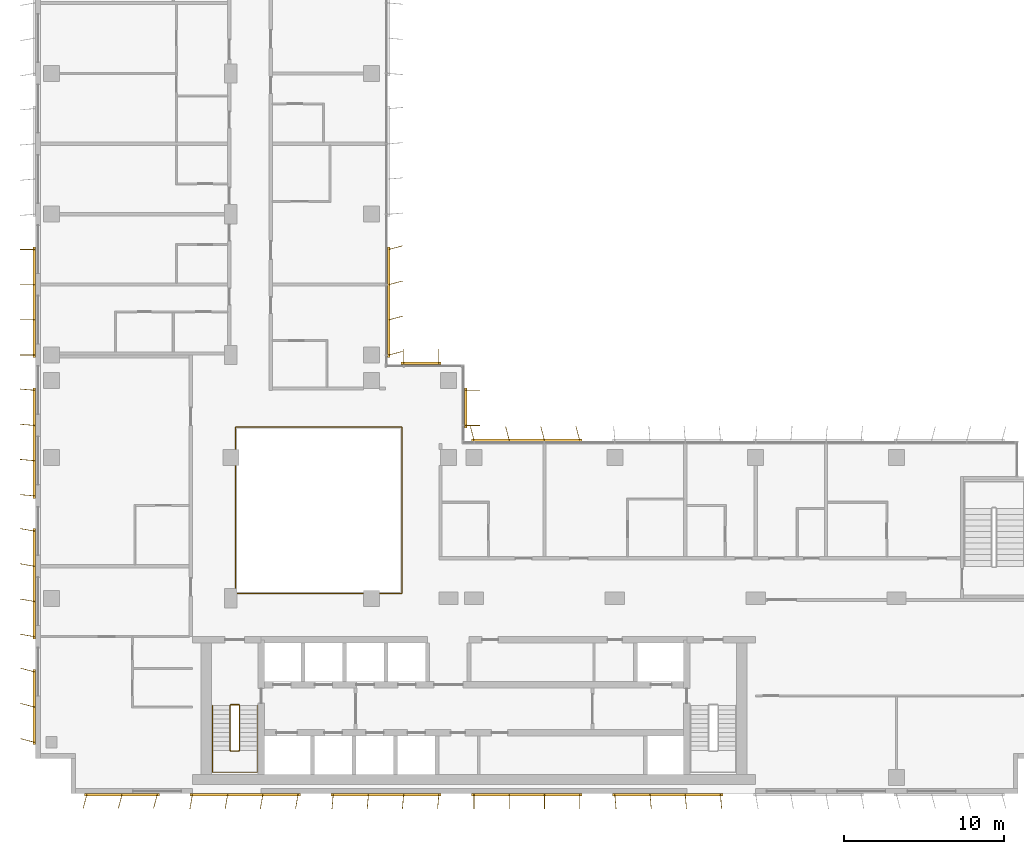
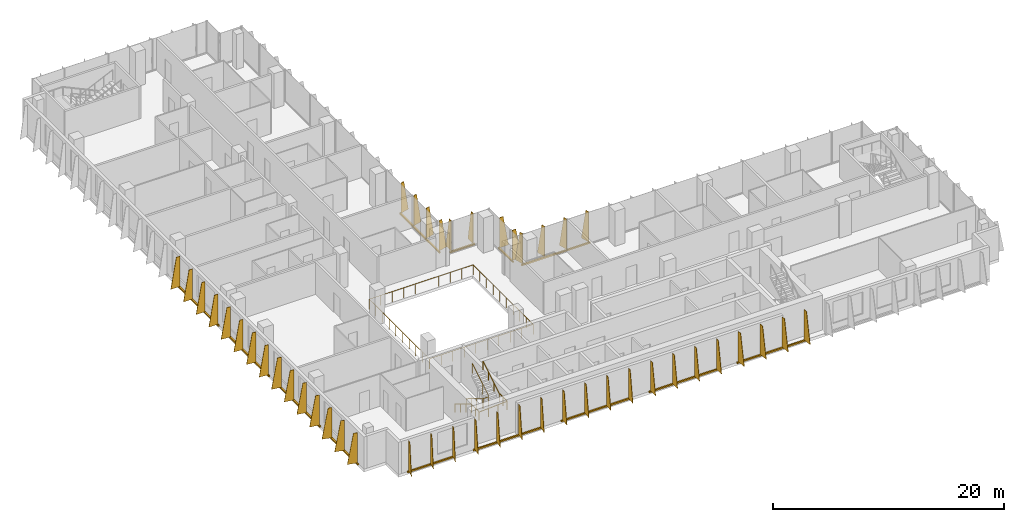
# One storey, part 19 of 21: 13 shading devices, 3 railings.
"""IFC4 building model written with IfcOpenShell, lengths in metres."""

from ifc_helpers import new_model, si_unit, direction, frame, origin, origin_2d, place, context, subcontext, project, spatial, polyline, rectangle, circle, outline, extrude, source, transform, mapped, material, layer, layer_set, type_object, element, save


model = new_model("IFC4")

# Units and contexts
model_context = context("Model", 3, precision=1e-05, world=origin(), true_north=direction((0.0, 1.0)))
body_context = subcontext(model_context, "Body", "Model", "MODEL_VIEW")
ifc_project = project(units=[si_unit("LENGTHUNIT", "METRE"), si_unit("AREAUNIT", "SQUARE_METRE"), si_unit("VOLUMEUNIT", "CUBIC_METRE"), si_unit("PLANEANGLEUNIT", "RADIAN"), si_unit("MASSUNIT", "GRAM", prefix="KILO")], contexts=[model_context])

# Site, building, storey
site_placement = place(None, origin())
site = spatial("IfcSite", under=ifc_project, at=site_placement, CompositionType="ELEMENT")
building_placement = place(site_placement, origin())
building = spatial("IfcBuilding", under=site, at=building_placement, Name="Kemantara Hotel Tower", CompositionType="ELEMENT")
storey_placement = place(building_placement, frame((0.0, 0.0, 179.0)))
storey = spatial("IfcBuildingStorey", under=building, at=storey_placement, Name="L44", CompositionType="ELEMENT", Elevation=179.0)

# Railings
ifc_material_1 = material(Name="Stainless steel and laminated glass balustrade", Category="steel")
railing_type_1 = type_object("IfcRailingType", Name="ATRIUM GUARD 1100", PredefinedType="GUARDRAIL", material=ifc_material_1)
railing_1_placement = place(storey_placement, frame((12.56005859375, 12.5, 0.0)))
element("IfcRailing", 1, at=railing_1_placement, inside=storey, type_object=railing_type_1, Name="ATRIUM GUARD L44", PredefinedType="GUARDRAIL", context=body_context, shape_type="SweptSolid", body=[
    extrude(circle(Radius=0.02490234375, at=origin_2d()), frame((0.0, 0.0, 1.0751953125), z_axis=(1.0, 0.0, 0.0), x_axis=(0.0, 1.0, 0.0)), (0.0, 0.0, 1.0), 10.33984375),
    extrude(circle(Radius=0.02490234375, at=origin_2d()), frame((10.33984375, 0.0, 1.0751953125), z_axis=(0.0, 1.0, 0.0), x_axis=(-1.0, 0.0, 0.0)), (0.0, 0.0, 1.0), 10.39990234375),
    extrude(circle(Radius=0.02490234375, at=origin_2d()), frame((10.33984375, 10.39990234375, 1.0751953125), z_axis=(-1.0, 0.0, 0.0), x_axis=(0.0, -1.0, 0.0)), (0.0, 0.0, 1.0), 10.39990234375),
    extrude(circle(Radius=0.02490234375, at=origin_2d()), frame((-0.06005859375, 10.39990234375, 1.0751953125), z_axis=(0.0, -1.0, 0.0), x_axis=(1.0, 0.0, 0.0)), (0.0, 0.0, 1.0), 10.39990234375),
    extrude(circle(Radius=0.02001953125, at=origin_2d()), origin(), (0.0, 0.0, 1.0), 1.050048828125),
    extrude(circle(Radius=0.02001953125, at=origin_2d()), frame((1.14892578125, 0.0, 0.0)), (0.0, 0.0, 1.0), 1.050048828125),
    extrude(circle(Radius=0.02001953125, at=origin_2d()), frame((2.2978515625, 0.0, 0.0)), (0.0, 0.0, 1.0), 1.050048828125),
    extrude(circle(Radius=0.02001953125, at=origin_2d()), frame((3.446533203125, 0.0, 0.0)), (0.0, 0.0, 1.0), 1.050048828125),
    extrude(circle(Radius=0.02001953125, at=origin_2d()), frame((4.595458984375, 0.0, 0.0)), (0.0, 0.0, 1.0), 1.050048828125),
    extrude(circle(Radius=0.02001953125, at=origin_2d()), frame((5.744384765625, 0.0, 0.0)), (0.0, 0.0, 1.0), 1.050048828125),
    extrude(circle(Radius=0.02001953125, at=origin_2d()), frame((6.893310546875, 0.0, 0.0)), (0.0, 0.0, 1.0), 1.050048828125),
    extrude(circle(Radius=0.02001953125, at=origin_2d()), frame((8.0419921875, 0.0, 0.0)), (0.0, 0.0, 1.0), 1.050048828125),
    extrude(circle(Radius=0.02001953125, at=origin_2d()), frame((9.19091796875, 0.0, 0.0)), (0.0, 0.0, 1.0), 1.050048828125),
    extrude(circle(Radius=0.02001953125, at=origin_2d()), frame((10.33984375, 0.0, 0.0)), (0.0, 0.0, 1.0), 1.050048828125),
    extrude(circle(Radius=0.02001953125, at=origin_2d()), frame((10.33984375, 1.155517578125, 0.0)), (0.0, 0.0, 1.0), 1.050048828125),
    extrude(circle(Radius=0.02001953125, at=origin_2d()), frame((10.33984375, 2.31103515625, 0.0)), (0.0, 0.0, 1.0), 1.050048828125),
    extrude(circle(Radius=0.02001953125, at=origin_2d()), frame((10.33984375, 3.466552734375, 0.0)), (0.0, 0.0, 1.0), 1.050048828125),
    extrude(circle(Radius=0.02001953125, at=origin_2d()), frame((10.33984375, 4.6220703125, 0.0)), (0.0, 0.0, 1.0), 1.050048828125),
    extrude(circle(Radius=0.02001953125, at=origin_2d()), frame((10.33984375, 5.77783203125, 0.0)), (0.0, 0.0, 1.0), 1.050048828125),
    extrude(circle(Radius=0.02001953125, at=origin_2d()), frame((10.33984375, 6.933349609375, 0.0)), (0.0, 0.0, 1.0), 1.050048828125),
    extrude(circle(Radius=0.02001953125, at=origin_2d()), frame((10.33984375, 8.0888671875, 0.0)), (0.0, 0.0, 1.0), 1.050048828125),
    extrude(circle(Radius=0.02001953125, at=origin_2d()), frame((10.33984375, 9.244384765625, 0.0)), (0.0, 0.0, 1.0), 1.050048828125),
    extrude(circle(Radius=0.02001953125, at=origin_2d()), frame((10.33984375, 10.39990234375, 0.0)), (0.0, 0.0, 1.0), 1.050048828125),
    extrude(circle(Radius=0.02001953125, at=origin_2d()), frame((9.184326171875, 10.39990234375, 0.0)), (0.0, 0.0, 1.0), 1.050048828125),
    extrude(circle(Radius=0.02001953125, at=origin_2d()), frame((8.02880859375, 10.39990234375, 0.0)), (0.0, 0.0, 1.0), 1.050048828125),
    extrude(circle(Radius=0.02001953125, at=origin_2d()), frame((6.873291015625, 10.39990234375, 0.0)), (0.0, 0.0, 1.0), 1.050048828125),
    extrude(circle(Radius=0.02001953125, at=origin_2d()), frame((5.7177734375, 10.39990234375, 0.0)), (0.0, 0.0, 1.0), 1.050048828125),
    extrude(circle(Radius=0.02001953125, at=origin_2d()), frame((4.56201171875, 10.39990234375, 0.0)), (0.0, 0.0, 1.0), 1.050048828125),
    extrude(circle(Radius=0.02001953125, at=origin_2d()), frame((3.406494140625, 10.39990234375, 0.0)), (0.0, 0.0, 1.0), 1.050048828125),
    extrude(circle(Radius=0.02001953125, at=origin_2d()), frame((2.2509765625, 10.39990234375, 0.0)), (0.0, 0.0, 1.0), 1.050048828125),
    extrude(circle(Radius=0.02001953125, at=origin_2d()), frame((1.095458984375, 10.39990234375, 0.0)), (0.0, 0.0, 1.0), 1.050048828125),
    extrude(circle(Radius=0.02001953125, at=origin_2d()), frame((-0.06005859375, 10.39990234375, 0.0)), (0.0, 0.0, 1.0), 1.050048828125),
    extrude(circle(Radius=0.02001953125, at=origin_2d()), frame((-0.06005859375, 9.244384765625, 0.0)), (0.0, 0.0, 1.0), 1.050048828125),
    extrude(circle(Radius=0.02001953125, at=origin_2d()), frame((-0.06005859375, 8.0888671875, 0.0)), (0.0, 0.0, 1.0), 1.050048828125),
    extrude(circle(Radius=0.02001953125, at=origin_2d()), frame((-0.06005859375, 6.933349609375, 0.0)), (0.0, 0.0, 1.0), 1.050048828125),
    extrude(circle(Radius=0.02001953125, at=origin_2d()), frame((-0.06005859375, 5.77783203125, 0.0)), (0.0, 0.0, 1.0), 1.050048828125),
    extrude(circle(Radius=0.02001953125, at=origin_2d()), frame((-0.06005859375, 4.6220703125, 0.0)), (0.0, 0.0, 1.0), 1.050048828125),
    extrude(circle(Radius=0.02001953125, at=origin_2d()), frame((-0.06005859375, 3.466552734375, 0.0)), (0.0, 0.0, 1.0), 1.050048828125),
    extrude(circle(Radius=0.02001953125, at=origin_2d()), frame((-0.06005859375, 2.31103515625, 0.0)), (0.0, 0.0, 1.0), 1.050048828125),
    extrude(circle(Radius=0.02001953125, at=origin_2d()), frame((-0.06005859375, 1.155517578125, 0.0)), (0.0, 0.0, 1.0), 1.050048828125),
    extrude(circle(Radius=0.02001953125, at=origin_2d()), frame((-0.06005859375, 0.0, 0.0)), (0.0, 0.0, 1.0), 1.050048828125),
])
ifc_material_2 = material(Name="Stainless steel balustrade", Category="steel")
railing_type_2 = type_object("IfcRailingType", Name="Stair guard 1100 mm", PredefinedType="GUARDRAIL", material=ifc_material_2)
railing_2_placement = place(storey_placement, frame((12.75, 5.5, 3.699951171875)))
element("IfcRailing", 2, at=railing_2_placement, inside=storey, type_object=railing_type_2, Name="L44 ST1 stair guard 1", PredefinedType="GUARDRAIL", context=body_context, shape_type="SweptSolid", body=[
    extrude(circle(Radius=0.02392578125, at=origin_2d()), frame((0.0, 0.0, 1.076171875), z_axis=(0.0, -0.857242210791, -0.514913383045), x_axis=(1.0, 0.0, 0.0)), (0.0, 0.0, 1.0), 3.266357421875),
    extrude(circle(Radius=0.02392578125, at=origin_2d()), frame((0.0, -2.800048828125, -0.60595703125), z_axis=(-0.274582412415, -0.274582412415, -0.921525364591), x_axis=(0.707106781187, -0.707106781187, 0.0)), (0.0, 0.0, 1.0), 0.182373046875),
    extrude(circle(Radius=0.02392578125, at=origin_2d()), frame((-0.050048828125, -2.85009765625, -0.77392578125), z_axis=(-1.0, 0.0, 0.0), x_axis=(0.0, -1.0, 0.0)), (0.0, 0.0, 1.0), 0.5),
    extrude(circle(Radius=0.02392578125, at=origin_2d()), frame((-0.550048828125, -2.85009765625, -0.77392578125), z_axis=(-0.707106781187, 0.707106781187, 0.0), x_axis=(-0.707106781187, -0.707106781187, 0.0)), (0.0, 0.0, 1.0), 0.07080078125),
    extrude(circle(Radius=0.02392578125, at=origin_2d()), frame((-0.60009765625, -2.800048828125, -0.77392578125), z_axis=(0.0, 0.857242210791, -0.514913383045), x_axis=(-1.0, 0.0, 0.0)), (0.0, 0.0, 1.0), 3.266357421875),
    extrude(circle(Radius=0.02392578125, at=origin_2d()), frame((-0.60009765625, 0.0, -2.45556640625), z_axis=(0.274243871929, 0.274243871929, -0.92172696468), x_axis=(-0.707106781187, 0.707106781187, 0.0)), (0.0, 0.0, 1.0), 0.1826171875),
    extrude(circle(Radius=0.02392578125, at=origin_2d()), frame((-0.550048828125, 0.050048828125, -2.6240234375), z_axis=(1.0, 0.0, 0.0), x_axis=(0.0, 1.0, 0.0)), (0.0, 0.0, 1.0), 0.5),
    extrude(circle(Radius=0.02099609375, at=origin_2d()), origin(), (0.0, 0.0, 1.0), 1.052001953125),
    extrude(circle(Radius=0.02099609375, at=origin_2d()), frame((0.0, -0.933349609375, -0.560546875)), (0.0, 0.0, 1.0), 1.052001953125),
    extrude(circle(Radius=0.02099609375, at=origin_2d()), frame((0.0, -1.86669921875, -1.121337890625)), (0.0, 0.0, 1.0), 1.052001953125),
    extrude(circle(Radius=0.02099609375, at=origin_2d()), frame((0.0, -2.800048828125, -1.681884765625)), (0.0, 0.0, 1.0), 1.052001953125),
    extrude(circle(Radius=0.02099609375, at=origin_2d()), frame((-0.050048828125, -2.85009765625, -1.849853515625)), (0.0, 0.0, 1.0), 1.052001953125),
    extrude(circle(Radius=0.02099609375, at=origin_2d()), frame((-0.550048828125, -2.85009765625, -1.849853515625)), (0.0, 0.0, 1.0), 1.052001953125),
    extrude(circle(Radius=0.02099609375, at=origin_2d()), frame((-0.60009765625, -2.800048828125, -1.849853515625)), (0.0, 0.0, 1.0), 1.052001953125),
    extrude(circle(Radius=0.02099609375, at=origin_2d()), frame((-0.60009765625, -1.86669921875, -2.410400390625)), (0.0, 0.0, 1.0), 1.052001953125),
    extrude(circle(Radius=0.02099609375, at=origin_2d()), frame((-0.60009765625, -0.933349609375, -2.97119140625)), (0.0, 0.0, 1.0), 1.052001953125),
    extrude(circle(Radius=0.02099609375, at=origin_2d()), frame((-0.60009765625, 0.0, -3.53173828125)), (0.0, 0.0, 1.0), 1.052001953125),
    extrude(circle(Radius=0.02099609375, at=origin_2d()), frame((-0.550048828125, 0.050048828125, -3.699951171875)), (0.0, 0.0, 1.0), 1.052001953125),
    extrude(circle(Radius=0.02099609375, at=origin_2d()), frame((-0.050048828125, 0.050048828125, -3.699951171875)), (0.0, 0.0, 1.0), 1.052001953125),
])
railing_type_3 = type_object("IfcRailingType", Name="Stair handrail 900 mm", PredefinedType="HANDRAIL", material=ifc_material_2)
railing_3_placement = place(storey_placement, frame((11.050048828125, 5.5, 0.168212890625)))
element("IfcRailing", 3, at=railing_3_placement, inside=storey, type_object=railing_type_3, Name="L44 ST1 stair handrail 1", PredefinedType="HANDRAIL", context=body_context, shape_type="SweptSolid", body=[
    extrude(circle(Radius=0.02392578125, at=origin_2d()), frame((0.0, 0.0, 0.8759765625), z_axis=(0.0, -0.857242210791, 0.514913383045), x_axis=(1.0, 0.0, 0.0)), (0.0, 0.0, 1.0), 3.266357421875),
    extrude(circle(Radius=0.02392578125, at=origin_2d()), frame((0.0, -2.800048828125, 2.5576171875), z_axis=(0.0, -1.0, 0.0), x_axis=(1.0, 0.0, 0.0)), (0.0, 0.0, 1.0), 1.3798828125),
    extrude(circle(Radius=0.02392578125, at=origin_2d()), frame((0.0, -4.179931640625, 2.5576171875), z_axis=(0.998205573864, 0.0, 0.059880149518), x_axis=(0.0, 1.0, 0.0)), (0.0, 0.0, 1.0), 2.80517578125),
    extrude(circle(Radius=0.02392578125, at=origin_2d()), frame((2.800048828125, -4.179931640625, 2.7255859375), z_axis=(0.0, 1.0, 0.0), x_axis=(-1.0, 0.0, 0.0)), (0.0, 0.0, 1.0), 1.3798828125),
    extrude(circle(Radius=0.02392578125, at=origin_2d()), frame((2.800048828125, -2.800048828125, 2.7255859375), z_axis=(0.0, 0.857242210791, 0.514913383045), x_axis=(-1.0, 0.0, 0.0)), (0.0, 0.0, 1.0), 3.266357421875),
    extrude(circle(Radius=0.02099609375, at=origin_2d()), origin(), (0.0, 0.0, 1.0), 0.851806640625),
    extrude(circle(Radius=0.02099609375, at=origin_2d()), frame((0.0, -0.933349609375, 0.560546875)), (0.0, 0.0, 1.0), 0.851806640625),
    extrude(circle(Radius=0.02099609375, at=origin_2d()), frame((0.0, -1.86669921875, 1.121337890625)), (0.0, 0.0, 1.0), 0.851806640625),
    extrude(circle(Radius=0.02099609375, at=origin_2d()), frame((0.0, -2.800048828125, 1.681884765625)), (0.0, 0.0, 1.0), 0.851806640625),
    extrude(circle(Radius=0.02099609375, at=origin_2d()), frame((0.0, -3.489990234375, 1.681884765625)), (0.0, 0.0, 1.0), 0.851806640625),
    extrude(circle(Radius=0.02099609375, at=origin_2d()), frame((0.0, -4.179931640625, 1.681884765625)), (0.0, 0.0, 1.0), 0.851806640625),
    extrude(circle(Radius=0.02099609375, at=origin_2d()), frame((0.933349609375, -4.179931640625, 1.73779296875)), (0.0, 0.0, 1.0), 0.851806640625),
    extrude(circle(Radius=0.02099609375, at=origin_2d()), frame((1.86669921875, -4.179931640625, 1.7939453125)), (0.0, 0.0, 1.0), 0.851806640625),
    extrude(circle(Radius=0.02099609375, at=origin_2d()), frame((2.800048828125, -4.179931640625, 1.849853515625)), (0.0, 0.0, 1.0), 0.851806640625),
    extrude(circle(Radius=0.02099609375, at=origin_2d()), frame((2.800048828125, -3.489990234375, 1.849853515625)), (0.0, 0.0, 1.0), 0.851806640625),
    extrude(circle(Radius=0.02099609375, at=origin_2d()), frame((2.800048828125, -2.800048828125, 1.849853515625)), (0.0, 0.0, 1.0), 0.851806640625),
    extrude(circle(Radius=0.02099609375, at=origin_2d()), frame((2.800048828125, -1.86669921875, 2.410400390625)), (0.0, 0.0, 1.0), 0.851806640625),
    extrude(circle(Radius=0.02099609375, at=origin_2d()), frame((2.800048828125, -0.933349609375, 2.97119140625)), (0.0, 0.0, 1.0), 0.851806640625),
    extrude(circle(Radius=0.02099609375, at=origin_2d()), frame((2.800048828125, 0.0, 3.53173828125)), (0.0, 0.0, 1.0), 0.851806640625),
])

# Shading devices
ifc_material_3 = material(Name="Perforated aluminium plate 4 mm bronze anodised", Category="aluminium")
ifc_layer_1 = layer(ifc_material_3, 0.0400390625)
ifc_layer_set_1 = layer_set([ifc_layer_1], Name="Perforated aluminium plate 4 mm bronze anodised")
shading_device_type_1 = type_object("IfcShadingDeviceType", Name="SCREEN FIN CASSETTE, 3 BLADES AT -15.0 DEG, 3200 HIGH", PredefinedType="USERDEFINED", material=ifc_layer_set_1)
shared_shape_1 = source(origin(), body_context, "Body", "SweptSolid", [
    extrude(rectangle(XDim=4.699951171875, YDim=0.14990234375, at=origin_2d()), frame((2.199951171875, -0.074951171875, -0.14990234375), z_axis=(0.0, 0.0, 1.0), x_axis=(1.0, 0.0, 0.0)), (0.0, 0.0, 1.0), 0.14990234375),
    extrude(outline(polyline([(0.0, 0.0), (0.89990234375, 0.0), (0.35009765625, 3.199951171875), (0.0, 3.199951171875), (0.0, 0.0)])), frame((0.019287109375, -0.080078125, 0.0), z_axis=(-0.966437683387, 0.256901156343, 0.0), x_axis=(-0.256901156343, -0.966437683387, 0.0)), (0.0, 0.0, 1.0), 0.039794921875),
    extrude(outline(polyline([(0.0, 0.0), (0.89990234375, 0.0), (0.35009765625, 3.199951171875), (0.0, 3.199951171875), (0.0, 0.0)])), frame((2.21923828125, -0.080078125, 0.0), z_axis=(-0.966437683387, 0.256901156343, 0.0), x_axis=(-0.256901156343, -0.966437683387, 0.0)), (0.0, 0.0, 1.0), 0.039794921875),
    extrude(outline(polyline([(0.0, 0.0), (0.89990234375, 0.0), (0.35009765625, 3.199951171875), (0.0, 3.199951171875), (0.0, 0.0)])), frame((4.41943359375, -0.080078125, 0.0), z_axis=(-0.966837822169, 0.255391122837, 0.0), x_axis=(-0.255391122837, -0.966837822169, 0.0)), (0.0, 0.0, 1.0), 0.0400390625),
])
for number, where, z_axis, x_axis, name in (
    (4, (0.0, 7.60009765625, 0.10009765625), (0.0, 0.0, 1.0), (0.0, -1.0, 0.0), "SCREEN FIN CASSETTE L44 T3-R05-7"),
    (5, (3.199951171875, 0.0, 0.10009765625), (0.0, 0.0, 1.0), (1.0, 0.0, 0.0), "SCREEN FIN CASSETTE L44 T3-R08-1"),
):
    element("IfcShadingDevice", number, at=place(storey_placement, frame(where, z_axis=z_axis, x_axis=x_axis)), inside=storey, type_object=shading_device_type_1, Name=name, ObjectType="SCREEN FIN", PredefinedType="USERDEFINED", context=body_context, shape_type="MappedRepresentation", body=[
        mapped(shared_shape_1, transform((0.0, 0.0, 0.0))),
    ])
ifc_layer_2 = layer(ifc_material_3, 0.0400390625)
ifc_layer_set_2 = layer_set([ifc_layer_2], Name="Perforated aluminium plate 4 mm bronze anodised")
shading_device_type_2 = type_object("IfcShadingDeviceType", Name="SCREEN FIN CASSETTE, 4 BLADES AT -10.0 DEG, 3200 HIGH", PredefinedType="USERDEFINED", material=ifc_layer_set_2)
shared_shape_2 = source(origin(), body_context, "Body", "SweptSolid", [
    extrude(rectangle(XDim=6.89990234375, YDim=0.14990234375, at=origin_2d()), frame((3.300048828125, -0.074951171875, -0.14990234375), z_axis=(0.0, 0.0, 1.0), x_axis=(1.0, 0.0, 0.0)), (0.0, 0.0, 1.0), 0.14990234375),
    extrude(outline(polyline([(0.0, 0.0), (0.89990234375, 0.0), (0.35009765625, 3.199951171875), (0.0, 3.199951171875), (0.0, 0.0)])), frame((0.019775390625, -0.078369140625, 0.0), z_axis=(-0.985389793052, 0.170314285219, 0.0), x_axis=(-0.170314285219, -0.985389793052, 0.0)), (0.0, 0.0, 1.0), 0.0400390625),
    extrude(outline(polyline([(0.0, 0.0), (0.89990234375, 0.0), (0.35009765625, 3.199951171875), (0.0, 3.199951171875), (0.0, 0.0)])), frame((2.2197265625, -0.078369140625, 0.0), z_axis=(-0.98521175482, 0.171341174751, 0.0), x_axis=(-0.171341174751, -0.98521175482, 0.0)), (0.0, 0.0, 1.0), 0.039794921875),
    extrude(outline(polyline([(0.0, 0.0), (0.89990234375, 0.0), (0.35009765625, 3.199951171875), (0.0, 3.199951171875), (0.0, 0.0)])), frame((4.419677734375, -0.078369140625, 0.0), z_axis=(-0.98521175482, 0.171341174751, 0.0), x_axis=(-0.171341174751, -0.98521175482, 0.0)), (0.0, 0.0, 1.0), 0.039794921875),
    extrude(outline(polyline([(0.0, 0.0), (0.89990234375, 0.0), (0.35009765625, 3.199951171875), (0.0, 3.199951171875), (0.0, 0.0)])), frame((6.61962890625, -0.078369140625, 0.0), z_axis=(-0.98521175482, 0.171341174751, 0.0), x_axis=(-0.171341174751, -0.98521175482, 0.0)), (0.0, 0.0, 1.0), 0.039794921875),
])
for number, where, z_axis, x_axis, name in (
    (6, (0.0, 16.39990234375, 0.10009765625), (0.0, 0.0, 1.0), (0.0, -1.0, 0.0), "SCREEN FIN CASSETTE L44 T3-R05-6"),
    (7, (9.800048828125, 0.0, 0.10009765625), (0.0, 0.0, 1.0), (1.0, 0.0, 0.0), "SCREEN FIN CASSETTE L44 T3-R08-2"),
):
    element("IfcShadingDevice", number, at=place(storey_placement, frame(where, z_axis=z_axis, x_axis=x_axis)), inside=storey, type_object=shading_device_type_2, Name=name, ObjectType="SCREEN FIN", PredefinedType="USERDEFINED", context=body_context, shape_type="MappedRepresentation", body=[
        mapped(shared_shape_2, transform((0.0, 0.0, 0.0))),
    ])
ifc_layer_3 = layer(ifc_material_3, 0.0400390625)
ifc_layer_set_3 = layer_set([ifc_layer_3], Name="Perforated aluminium plate 4 mm bronze anodised")
shading_device_type_3 = type_object("IfcShadingDeviceType", Name="SCREEN FIN CASSETTE, 4 BLADES AT -5.0 DEG, 3200 HIGH", PredefinedType="USERDEFINED", material=ifc_layer_set_3)
shared_shape_3 = source(origin(), body_context, "Body", "SweptSolid", [
    extrude(rectangle(XDim=6.89990234375, YDim=0.14990234375, at=origin_2d()), frame((3.300048828125, -0.074951171875, -0.14990234375), z_axis=(0.0, 0.0, 1.0), x_axis=(1.0, 0.0, 0.0)), (0.0, 0.0, 1.0), 0.14990234375),
    extrude(outline(polyline([(0.0, 0.0), (0.89990234375, 0.0), (0.35009765625, 3.199951171875), (0.0, 3.199951171875), (0.0, 0.0)])), frame((0.02001953125, -0.07666015625, 0.0), z_axis=(-0.996376129781, 0.085056498884, 0.0), x_axis=(-0.085056498884, -0.996376129781, 0.0)), (0.0, 0.0, 1.0), 0.040283203125),
    extrude(outline(polyline([(0.0, 0.0), (0.89990234375, 0.0), (0.35009765625, 3.199951171875), (0.0, 3.199951171875), (0.0, 0.0)])), frame((2.219970703125, -0.07666015625, 0.0), z_axis=(-0.996331773833, 0.085574508182, 0.0), x_axis=(-0.085574508182, -0.996331773833, 0.0)), (0.0, 0.0, 1.0), 0.0400390625),
    extrude(outline(polyline([(0.0, 0.0), (0.89990234375, 0.0), (0.35009765625, 3.199951171875), (0.0, 3.199951171875), (0.0, 0.0)])), frame((4.419921875, -0.07666015625, 0.0), z_axis=(-0.996331773833, 0.085574508182, 0.0), x_axis=(-0.085574508182, -0.996331773833, 0.0)), (0.0, 0.0, 1.0), 0.0400390625),
    extrude(outline(polyline([(0.0, 0.0), (0.89990234375, 0.0), (0.35009765625, 3.199951171875), (0.0, 3.199951171875), (0.0, 0.0)])), frame((6.619873046875, -0.07666015625, 0.0), z_axis=(-0.996331773833, 0.085574508182, 0.0), x_axis=(-0.085574508182, -0.996331773833, 0.0)), (0.0, 0.0, 1.0), 0.0400390625),
])
for number, where, z_axis, x_axis, name in (
    (8, (0.0, 25.199951171875, 0.10009765625), (0.0, 0.0, 1.0), (0.0, -1.0, 0.0), "SCREEN FIN CASSETTE L44 T3-R05-5"),
    (9, (18.60009765625, 0.0, 0.10009765625), (0.0, 0.0, 1.0), (1.0, 0.0, 0.0), "SCREEN FIN CASSETTE L44 T3-R08-3"),
):
    element("IfcShadingDevice", number, at=place(storey_placement, frame(where, z_axis=z_axis, x_axis=x_axis)), inside=storey, type_object=shading_device_type_3, Name=name, ObjectType="SCREEN FIN", PredefinedType="USERDEFINED", context=body_context, shape_type="MappedRepresentation", body=[
        mapped(shared_shape_3, transform((0.0, 0.0, 0.0))),
    ])
ifc_layer_4 = layer(ifc_material_3, 0.0400390625)
ifc_layer_set_4 = layer_set([ifc_layer_4], Name="Perforated aluminium plate 4 mm bronze anodised")
shading_device_type_4 = type_object("IfcShadingDeviceType", Name="SCREEN FIN CASSETTE, 4 BLADES AT +0.0 DEG, 3200 HIGH", PredefinedType="USERDEFINED", material=ifc_layer_set_4)
shared_shape_4 = source(origin(), body_context, "Body", "SweptSolid", [
    extrude(rectangle(XDim=6.89990234375, YDim=0.14990234375, at=origin_2d()), frame((3.300048828125, -0.074951171875, -0.14990234375), z_axis=(0.0, 0.0, 1.0), x_axis=(1.0, 0.0, 0.0)), (0.0, 0.0, 1.0), 0.14990234375),
    extrude(outline(polyline([(0.0, 0.0), (0.89990234375, 0.0), (0.35009765625, 3.199951171875), (0.0, 3.199951171875), (0.0, 0.0)])), frame((0.02001953125, -0.074951171875, 0.0), z_axis=(-1.0, 0.0, 0.0), x_axis=(0.0, -1.0, 0.0)), (0.0, 0.0, 1.0), 0.0400390625),
    extrude(outline(polyline([(0.0, 0.0), (0.89990234375, 0.0), (0.35009765625, 3.199951171875), (0.0, 3.199951171875), (0.0, 0.0)])), frame((2.219970703125, -0.074951171875, 0.0), z_axis=(-1.0, 0.0, 0.0), x_axis=(0.0, -1.0, 0.0)), (0.0, 0.0, 1.0), 0.0400390625),
    extrude(outline(polyline([(0.0, 0.0), (0.89990234375, 0.0), (0.35009765625, 3.199951171875), (0.0, 3.199951171875), (0.0, 0.0)])), frame((4.419921875, -0.074951171875, 0.0), z_axis=(-1.0, 0.0, 0.0), x_axis=(0.0, -1.0, 0.0)), (0.0, 0.0, 1.0), 0.0400390625),
    extrude(outline(polyline([(0.0, 0.0), (0.89990234375, 0.0), (0.35009765625, 3.199951171875), (0.0, 3.199951171875), (0.0, 0.0)])), frame((6.6201171875, -0.074951171875, 0.0), z_axis=(-1.0, 0.0, 0.0), x_axis=(0.0, -1.0, 0.0)), (0.0, 0.0, 1.0), 0.0400390625),
])
for number, where, z_axis, x_axis, name in (
    (10, (0.0, 34.0, 0.10009765625), (0.0, 0.0, 1.0), (0.0, -1.0, 0.0), "SCREEN FIN CASSETTE L44 T3-R05-4"),
    (11, (27.39990234375, 0.0, 0.10009765625), (0.0, 0.0, 1.0), (1.0, 0.0, 0.0), "SCREEN FIN CASSETTE L44 T3-R08-4"),
):
    element("IfcShadingDevice", number, at=place(storey_placement, frame(where, z_axis=z_axis, x_axis=x_axis)), inside=storey, type_object=shading_device_type_4, Name=name, ObjectType="SCREEN FIN", PredefinedType="USERDEFINED", context=body_context, shape_type="MappedRepresentation", body=[
        mapped(shared_shape_4, transform((0.0, 0.0, 0.0))),
    ])
ifc_layer_5 = layer(ifc_material_3, 0.0400390625)
ifc_layer_set_5 = layer_set([ifc_layer_5], Name="Perforated aluminium plate 4 mm bronze anodised")
shading_device_type_5 = type_object("IfcShadingDeviceType", Name="SCREEN FIN CASSETTE, 4 BLADES AT +5.0 DEG, 3200 HIGH", PredefinedType="USERDEFINED", material=ifc_layer_set_5)
shared_shape_5 = source(origin(), body_context, "Body", "SweptSolid", [
    extrude(rectangle(XDim=6.89990234375, YDim=0.14990234375, at=origin_2d()), frame((3.300048828125, -0.074951171875, -0.14990234375), z_axis=(0.0, 0.0, 1.0), x_axis=(1.0, 0.0, 0.0)), (0.0, 0.0, 1.0), 0.14990234375),
    extrude(outline(polyline([(0.0, 0.0), (0.89990234375, 0.0), (0.35009765625, 3.199951171875), (0.0, 3.199951171875), (0.0, 0.0)])), frame((0.02001953125, -0.0732421875, 0.0), z_axis=(-0.996376129781, -0.085056498884, 0.0), x_axis=(0.085056498884, -0.996376129781, 0.0)), (0.0, 0.0, 1.0), 0.040283203125),
    extrude(outline(polyline([(0.0, 0.0), (0.89990234375, 0.0), (0.35009765625, 3.199951171875), (0.0, 3.199951171875), (0.0, 0.0)])), frame((2.219970703125, -0.0732421875, 0.0), z_axis=(-0.996331773833, -0.085574508182, 0.0), x_axis=(0.085574508182, -0.996331773833, 0.0)), (0.0, 0.0, 1.0), 0.0400390625),
    extrude(outline(polyline([(0.0, 0.0), (0.89990234375, 0.0), (0.35009765625, 3.199951171875), (0.0, 3.199951171875), (0.0, 0.0)])), frame((4.419921875, -0.0732421875, 0.0), z_axis=(-0.996331773833, -0.085574508182, 0.0), x_axis=(0.085574508182, -0.996331773833, 0.0)), (0.0, 0.0, 1.0), 0.0400390625),
    extrude(outline(polyline([(0.0, 0.0), (0.89990234375, 0.0), (0.35009765625, 3.199951171875), (0.0, 3.199951171875), (0.0, 0.0)])), frame((6.619873046875, -0.0732421875, 0.0), z_axis=(-0.996331773833, -0.085574508182, 0.0), x_axis=(0.085574508182, -0.996331773833, 0.0)), (0.0, 0.0, 1.0), 0.0400390625),
])
shading_device_placement = place(storey_placement, frame((36.199951171875, 0.0, 0.10009765625), z_axis=(0.0, 0.0, 1.0), x_axis=(1.0, 0.0, 0.0)))
element("IfcShadingDevice", 12, at=shading_device_placement, inside=storey, type_object=shading_device_type_5, Name="SCREEN FIN CASSETTE L44 T3-R08-5", ObjectType="SCREEN FIN", PredefinedType="USERDEFINED", context=body_context, shape_type="MappedRepresentation", body=[
    mapped(shared_shape_5, transform((0.0, 0.0, 0.0))),
])
ifc_layer_6 = layer(ifc_material_3, 0.0400390625)
ifc_layer_set_6 = layer_set([ifc_layer_6], Name="Perforated aluminium plate 4 mm bronze anodised")
shading_device_type_6 = type_object("IfcShadingDeviceType", Name="SCREEN FIN CASSETTE, 4 BLADES AT +15.0 DEG, 3200 HIGH", PredefinedType="USERDEFINED", material=ifc_layer_set_6)
shared_shape_6 = source(origin(), body_context, "Body", "SweptSolid", [
    extrude(rectangle(XDim=6.89990234375, YDim=0.14990234375, at=origin_2d()), frame((3.300048828125, -0.074951171875, -0.14990234375), z_axis=(0.0, 0.0, 1.0), x_axis=(1.0, 0.0, 0.0)), (0.0, 0.0, 1.0), 0.14990234375),
    extrude(outline(polyline([(0.0, 0.0), (0.89990234375, 0.0), (0.35009765625, 3.199951171875), (0.0, 3.199951171875), (0.0, 0.0)])), frame((0.019287109375, -0.06982421875, 0.0), z_axis=(-0.966437683387, -0.256901156343, 0.0), x_axis=(0.256901156343, -0.966437683387, 0.0)), (0.0, 0.0, 1.0), 0.039794921875),
    extrude(outline(polyline([(0.0, 0.0), (0.89990234375, 0.0), (0.35009765625, 3.199951171875), (0.0, 3.199951171875), (0.0, 0.0)])), frame((2.21923828125, -0.06982421875, 0.0), z_axis=(-0.966437683387, -0.256901156343, 0.0), x_axis=(0.256901156343, -0.966437683387, 0.0)), (0.0, 0.0, 1.0), 0.039794921875),
    extrude(outline(polyline([(0.0, 0.0), (0.89990234375, 0.0), (0.35009765625, 3.199951171875), (0.0, 3.199951171875), (0.0, 0.0)])), frame((4.41943359375, -0.06982421875, 0.0), z_axis=(-0.966837822169, -0.255391122837, 0.0), x_axis=(0.255391122837, -0.966837822169, 0.0)), (0.0, 0.0, 1.0), 0.0400390625),
    extrude(outline(polyline([(0.0, 0.0), (0.89990234375, 0.0), (0.35009765625, 3.199951171875), (0.0, 3.199951171875), (0.0, 0.0)])), frame((6.619384765625, -0.06982421875, 0.0), z_axis=(-0.966837822169, -0.255391122837, 0.0), x_axis=(0.255391122837, -0.966837822169, 0.0)), (0.0, 0.0, 1.0), 0.0400390625),
])
for number, where, z_axis, x_axis, name in (
    (13, (34.0, 22.0, 0.10009765625), (0.0, 0.0, 1.0), (-1.0, 0.0, 0.0), "SCREEN FIN CASSETTE L44 T3-R14-4"),
    (14, (22.0, 27.39990234375, 0.10009765625), (0.0, 0.0, 1.0), (0.0, 1.0, 0.0), "SCREEN FIN CASSETTE L44 T3-R17-1"),
):
    element("IfcShadingDevice", number, at=place(storey_placement, frame(where, z_axis=z_axis, x_axis=x_axis)), inside=storey, type_object=shading_device_type_6, Name=name, ObjectType="SCREEN FIN", PredefinedType="USERDEFINED", context=body_context, shape_type="MappedRepresentation", body=[
        mapped(shared_shape_6, transform((0.0, 0.0, 0.0))),
    ])
ifc_layer_7 = layer(ifc_material_3, 0.0400390625)
ifc_layer_set_7 = layer_set([ifc_layer_7], Name="Perforated aluminium plate 4 mm bronze anodised")
shading_device_type_7 = type_object("IfcShadingDeviceType", Name="SCREEN FIN CASSETTE, 2 BLADES AT +0.0 DEG, 3200 HIGH", PredefinedType="USERDEFINED", material=ifc_layer_set_7)
shared_shape_7 = source(origin(), body_context, "Body", "SweptSolid", [
    extrude(rectangle(XDim=2.5, YDim=0.14990234375, at=origin_2d()), frame((1.10009765625, -0.074951171875, -0.14990234375), z_axis=(0.0, 0.0, 1.0), x_axis=(1.0, 0.0, 0.0)), (0.0, 0.0, 1.0), 0.14990234375),
    extrude(outline(polyline([(0.0, 0.0), (0.89990234375, 0.0), (0.35009765625, 3.199951171875), (0.0, 3.199951171875), (0.0, 0.0)])), frame((0.02001953125, -0.074951171875, 0.0), z_axis=(-1.0, 0.0, 0.0), x_axis=(0.0, -1.0, 0.0)), (0.0, 0.0, 1.0), 0.0400390625),
    extrude(outline(polyline([(0.0, 0.0), (0.89990234375, 0.0), (0.35009765625, 3.199951171875), (0.0, 3.199951171875), (0.0, 0.0)])), frame((2.219970703125, -0.074951171875, 0.0), z_axis=(-1.0, 0.0, 0.0), x_axis=(0.0, -1.0, 0.0)), (0.0, 0.0, 1.0), 0.0400390625),
])
for number, where, z_axis, x_axis, name in (
    (15, (26.800048828125, 23.0, 0.10009765625), (0.0, 0.0, 1.0), (0.0, 1.0, 0.0), "SCREEN FIN CASSETTE L44 T3-R15-1"),
    (16, (25.199951171875, 26.800048828125, 0.10009765625), (0.0, 0.0, 1.0), (-1.0, 0.0, 0.0), "SCREEN FIN CASSETTE L44 T3-R16-1"),
):
    element("IfcShadingDevice", number, at=place(storey_placement, frame(where, z_axis=z_axis, x_axis=x_axis)), inside=storey, type_object=shading_device_type_7, Name=name, ObjectType="SCREEN FIN", PredefinedType="USERDEFINED", context=body_context, shape_type="MappedRepresentation", body=[
        mapped(shared_shape_7, transform((0.0, 0.0, 0.0))),
    ])

save(model, "model.ifc")
